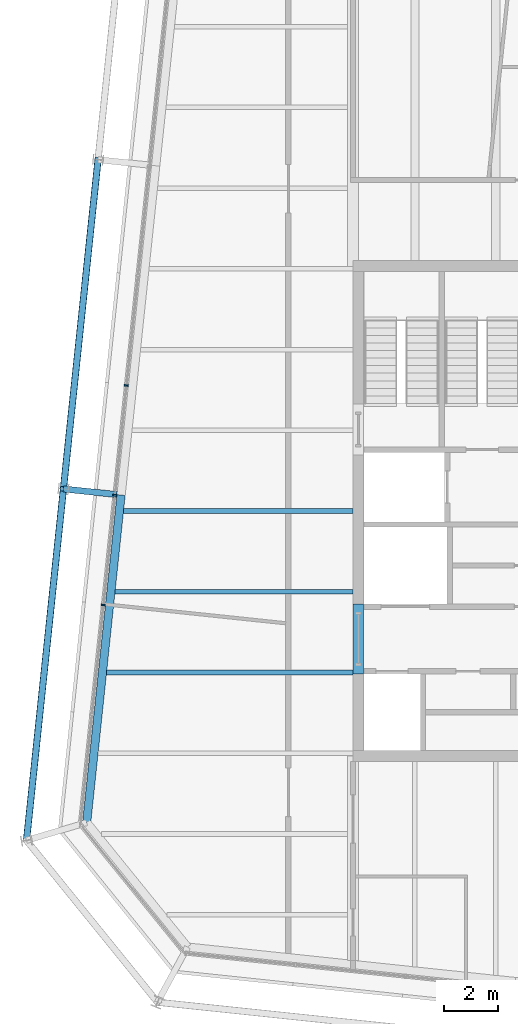
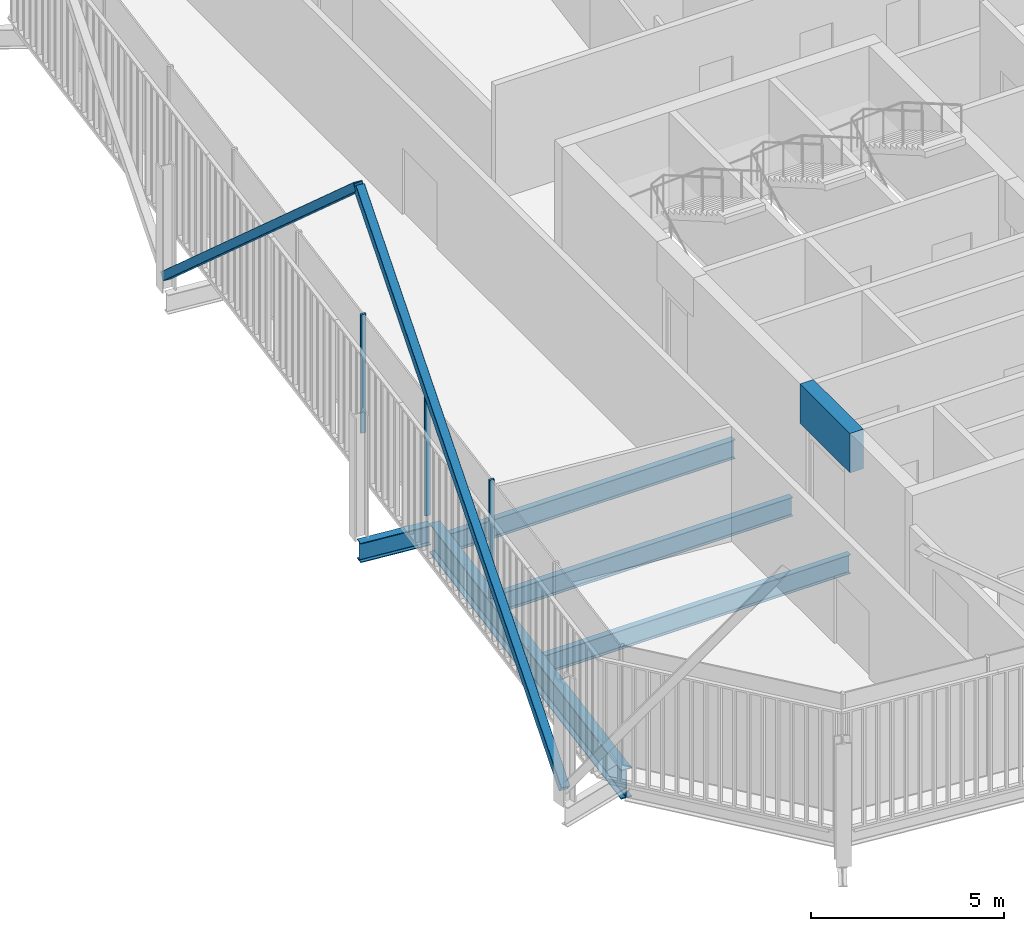
# One storey, part 6 of 21: 6 beams, 5 members, 1 element without a shape of its own.
"""IFC4 building model written with IfcOpenShell, lengths in metres."""

from ifc_helpers import new_model, si_unit, direction, frame, origin, origin_2d, place, context, subcontext, project, spatial, rectangle, hollow_rectangle, i_section, extrude, material, layer, layer_set, material_profile, profile_set, type_object, element, aggregate, save


model = new_model("IFC4")

# Units and contexts
model_context = context("Model", 3, precision=1e-05, world=origin(), true_north=direction((0.0, 1.0)))
body_context = subcontext(model_context, "Body", "Model", "MODEL_VIEW")
ifc_project = project(units=[si_unit("LENGTHUNIT", "METRE"), si_unit("AREAUNIT", "SQUARE_METRE"), si_unit("VOLUMEUNIT", "CUBIC_METRE"), si_unit("PLANEANGLEUNIT", "RADIAN"), si_unit("MASSUNIT", "GRAM", prefix="KILO")], contexts=[model_context])

# Site, building, storey
site_placement = place(None, origin())
site = spatial("IfcSite", under=ifc_project, at=site_placement, CompositionType="ELEMENT")
building_placement = place(site_placement, origin())
building = spatial("IfcBuilding", under=site, at=building_placement, Name="Millrace Tower", CompositionType="ELEMENT")
storey_placement = place(building_placement, frame((0.0, 0.0, 307.199951171875)))
storey = spatial("IfcBuildingStorey", under=building, at=storey_placement, Name="L71", CompositionType="ELEMENT", Elevation=307.199951171875)

# Curtain wall, members
ifc_material_1 = material(Name="Aluminium and glass", Category="aluminium")
ifc_layer = layer(ifc_material_1, 0.14990234375)
ifc_layer_set = layer_set([ifc_layer], Name="Aluminium and glass")
curtain_wall_type = type_object("IfcCurtainWallType", Name="CW-1 office vision curtain wall", PredefinedType="NOTDEFINED", material=ifc_layer_set)
curtain_wall_placement = place(storey_placement, origin())
curtain_wall = element("IfcCurtainWall", 1, at=curtain_wall_placement, inside=storey, type_object=curtain_wall_type, Name="Curtain wall E-F08 L71", PredefinedType="NOTDEFINED")
ifc_material_2 = material(Name="Aluminium", Category="aluminium")
ifc_material_profile_1 = material_profile(ifc_material_2, rectangle(XDim=0.06494140625, YDim=0.14990234375, at=origin_2d()))
ifc_profile_set_1 = profile_set([ifc_material_profile_1], Name="Aluminium")
member_type_1 = type_object("IfcMemberType", Name="CW-1 office vision curtain wall mullion", PredefinedType="MULLION", material=ifc_profile_set_1)
member_1_placement = place(storey_placement, frame((-22.717529296875, 4.664794921875, 0.14013671875), z_axis=(0.0, 0.0, 1.0), x_axis=(-0.104528455196, -0.994521896217, 0.0)))
member_1 = element("IfcMember", 2, at=member_1_placement, type_object=member_type_1, Name="CW1 mullion E-F08.6", PredefinedType="MULLION", context=body_context, shape_type="SweptSolid", body=[
    extrude(rectangle(XDim=0.06494140625, YDim=0.14990234375, at=origin_2d()), origin(), (0.0, 0.0, 1.0), 3.760009765625),
])
member_2_placement = place(storey_placement, frame((-23.146240234375, 0.587158203125, 0.14013671875), z_axis=(0.0, 0.0, 1.0), x_axis=(-0.104528455196, -0.994521896217, 0.0)))
member_2 = element("IfcMember", 3, at=member_2_placement, type_object=member_type_1, Name="CW1 mullion E-F08.7", PredefinedType="MULLION", context=body_context, shape_type="SweptSolid", body=[
    extrude(rectangle(XDim=0.06494140625, YDim=0.14990234375, at=origin_2d()), origin(), (0.0, 0.0, 1.0), 3.760009765625),
])
member_3_placement = place(storey_placement, frame((-23.57470703125, -3.490234375, 0.14013671875), z_axis=(0.0, 0.0, 1.0), x_axis=(-0.104528455196, -0.994521896217, 0.0)))
member_3 = element("IfcMember", 4, at=member_3_placement, type_object=member_type_1, Name="CW1 mullion E-F08.8", PredefinedType="MULLION", context=body_context, shape_type="SweptSolid", body=[
    extrude(rectangle(XDim=0.06494140625, YDim=0.14990234375, at=origin_2d()), origin(), (0.0, 0.0, 1.0), 3.760009765625),
])
aggregate(curtain_wall, [member_1, member_2, member_3])

# Beam
ifc_material_3 = material(Name="Concrete C60", Category="concrete")
ifc_material_profile_2 = material_profile(ifc_material_3, rectangle(XDim=0.39990234375, YDim=1.25, at=origin_2d()))
ifc_profile_set_2 = profile_set([ifc_material_profile_2], Name="Concrete C60")
beam_type_1 = type_object("IfcBeamType", Name="Coupling beam 400 x 1250 Concrete C60, 2000 opening", PredefinedType="BEAM", material=ifc_profile_set_2)
beam_1_placement = place(storey_placement, frame((-14.10009765625, -6.050048828125, 3.025146484375), z_axis=(0.0, 1.0, 0.0), x_axis=(-1.0, 0.0, 0.0)))
element("IfcBeam", 5, at=beam_1_placement, inside=storey, type_object=beam_type_1, Name="Coupling beam W L71", PredefinedType="BEAM", context=body_context, shape_type="SweptSolid", body=[
    extrude(rectangle(XDim=0.39990234375, YDim=1.25, at=origin_2d()), origin(), (0.0, 0.0, 1.0), 2.60009765625),
])

# Members
ifc_material_4 = material(Name="Steel ASTM A500 Grade C", Category="steel")
ifc_material_profile_3 = material_profile(ifc_material_4, hollow_rectangle(XDim=0.25390625, YDim=0.25390625, WallThickness=0.009521484375, InnerFilletRadius=0.004638671875, OuterFilletRadius=0.014404296875, at=origin_2d()))
ifc_profile_set_3 = profile_set([ifc_material_profile_3], Name="Steel ASTM A500 Grade C")
member_type_2 = type_object("IfcMemberType", Name="Exoskeleton brace HSS10x10x3/8", PredefinedType="BRACE", material=ifc_profile_set_3)
member_4_placement = place(storey_placement, frame((-23.771484375, 13.053466796875, 0.400146484375), z_axis=(-0.078875431085, -0.750342410196, 0.656326849849), x_axis=(0.994520342986, -0.104543232143, 0.0)))
element("IfcMember", 6, at=member_4_placement, inside=storey, type_object=member_type_2, Name="BRC-E-L71-15", PredefinedType="BRACE", context=body_context, shape_type="SweptSolid", body=[
    extrude(hollow_rectangle(XDim=0.25390625, YDim=0.25390625, WallThickness=0.009521484375, InnerFilletRadius=0.004638671875, OuterFilletRadius=0.014404296875, at=origin_2d()), origin(), (0.0, 0.0, 1.0), 16.302734375),
])
member_5_placement = place(storey_placement, frame((-26.429443359375, -12.23583984375, 0.400146484375), z_axis=(0.08101229051, 0.77091410969, 0.631766130991), x_axis=(-0.994523779096, 0.104510539239, 0.0)))
element("IfcMember", 7, at=member_5_placement, inside=storey, type_object=member_type_2, Name="BRC-E-L71-16", PredefinedType="BRACE", context=body_context, shape_type="SweptSolid", body=[
    extrude(hollow_rectangle(XDim=0.25390625, YDim=0.25390625, WallThickness=0.009521484375, InnerFilletRadius=0.004638671875, OuterFilletRadius=0.014404296875, at=origin_2d()), origin(), (0.0, 0.0, 1.0), 16.9365234375),
])

# Beams
ifc_material_5 = material(Name="Steel ASTM A992 Grade 50", Category="steel")
ifc_material_profile_4 = material_profile(ifc_material_5, i_section(OverallWidth=0.177978515625, OverallDepth=0.599365234375, WebThickness=0.010009765625, FlangeThickness=0.012939453125, FilletRadius=0.012939453125, at=origin_2d()))
ifc_profile_set_4 = profile_set([ifc_material_profile_4], Name="Steel ASTM A992 Grade 50")
beam_type_2 = type_object("IfcBeamType", Name="Floor beam W24x55", PredefinedType="JOIST", material=ifc_profile_set_4)
beam_2_placement = place(storey_placement, frame((-23.4541015625, -6.0, -0.459716796875), z_axis=(1.0, 0.0, 0.0), x_axis=(0.0, 1.0, 0.0)))
element("IfcBeam", 8, at=beam_2_placement, inside=storey, type_object=beam_type_2, Name="BM-E-L71-S1-S009", PredefinedType="JOIST", context=body_context, shape_type="SweptSolid", body=[
    extrude(i_section(OverallWidth=0.177978515625, OverallDepth=0.599365234375, WebThickness=0.010009765625, FlangeThickness=0.012939453125, FilletRadius=0.012939453125, at=origin_2d()), origin(), (0.0, 0.0, 1.0), 9.154052734375),
])
beam_3_placement = place(storey_placement, frame((-23.138916015625, -3.0, -0.459716796875), z_axis=(1.0, 0.0, 0.0), x_axis=(0.0, 1.0, 0.0)))
element("IfcBeam", 9, at=beam_3_placement, inside=storey, type_object=beam_type_2, Name="BM-E-L71-S1-S012", PredefinedType="JOIST", context=body_context, shape_type="SweptSolid", body=[
    extrude(i_section(OverallWidth=0.177978515625, OverallDepth=0.599365234375, WebThickness=0.010009765625, FlangeThickness=0.012939453125, FilletRadius=0.012939453125, at=origin_2d()), origin(), (0.0, 0.0, 1.0), 8.8388671875),
])
beam_4_placement = place(storey_placement, frame((-22.823486328125, 0.0, -0.459716796875), z_axis=(1.0, 0.0, 0.0), x_axis=(0.0, 1.0, 0.0)))
element("IfcBeam", 10, at=beam_4_placement, inside=storey, type_object=beam_type_2, Name="BM-E-L71-S1-S015", PredefinedType="JOIST", context=body_context, shape_type="SweptSolid", body=[
    extrude(i_section(OverallWidth=0.177978515625, OverallDepth=0.599365234375, WebThickness=0.010009765625, FlangeThickness=0.012939453125, FilletRadius=0.012939453125, at=origin_2d()), origin(), (0.0, 0.0, 1.0), 8.5234375),
])
ifc_material_6 = material(Name="Steel ASTM A992 Grade 50", Category="steel")
ifc_material_profile_5 = material_profile(ifc_material_6, i_section(OverallWidth=0.23046875, OverallDepth=0.6171875, WebThickness=0.01318359375, FlangeThickness=0.022216796875, FilletRadius=0.012939453125, at=origin_2d()))
ifc_profile_set_5 = profile_set([ifc_material_profile_5], Name="Steel ASTM A992 Grade 50")
beam_type_3 = type_object("IfcBeamType", Name="Link beam W24x94", PredefinedType="BEAM", material=ifc_profile_set_5)
beam_5_placement = place(storey_placement, frame((-23.068115234375, 0.61181640625, -0.468505859375), z_axis=(-0.994526834051, 0.104481464157, 0.0), x_axis=(-0.104481464157, -0.994526834051, 0.0)))
element("IfcBeam", 11, at=beam_5_placement, inside=storey, type_object=beam_type_3, Name="LNK-E-L71-S1-02", PredefinedType="BEAM", context=body_context, shape_type="SweptSolid", body=[
    extrude(i_section(OverallWidth=0.23046875, OverallDepth=0.6171875, WebThickness=0.01318359375, FlangeThickness=0.022216796875, FilletRadius=0.012939453125, at=origin_2d()), origin(), (0.0, 0.0, 1.0), 2.000244140625),
])
ifc_material_7 = material(Name="Steel ASTM A992 Grade 50", Category="steel")
ifc_material_profile_6 = material_profile(ifc_material_7, i_section(OverallWidth=0.307373046875, OverallDepth=0.927001953125, WebThickness=0.01953125, FlangeThickness=0.031982421875, FilletRadius=0.01904296875, at=origin_2d()))
ifc_profile_set_6 = profile_set([ifc_material_profile_6], Name="Steel ASTM A992 Grade 50")
beam_type_4 = type_object("IfcBeamType", Name="Ring beam medium span W36x194", PredefinedType="SPANDREL", material=ifc_profile_set_6)
beam_6_placement = place(storey_placement, frame((-24.1943359375, -11.57373046875, -0.62353515625), z_axis=(0.104527955888, 0.994521948696, 0.0), x_axis=(-0.994521948696, 0.104527955888, 0.0)))
element("IfcBeam", 12, at=beam_6_placement, inside=storey, type_object=beam_type_4, Name="RNG-E-L71-S1-01", PredefinedType="SPANDREL", context=body_context, shape_type="SweptSolid", body=[
    extrude(i_section(OverallWidth=0.307373046875, OverallDepth=0.927001953125, WebThickness=0.01953125, FlangeThickness=0.031982421875, FilletRadius=0.01904296875, at=origin_2d()), origin(), (0.0, 0.0, 1.0), 12.236572265625),
])

save(model, "model.ifc")
